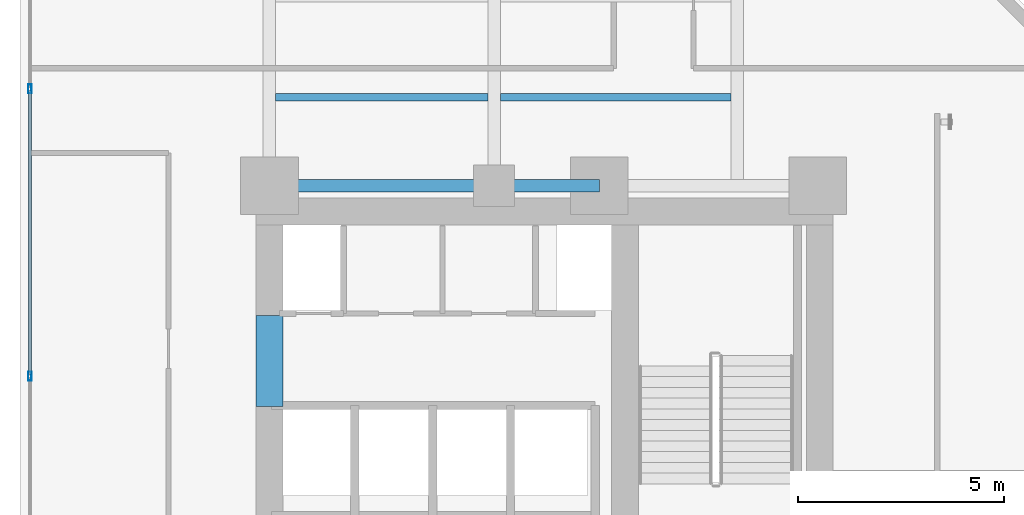
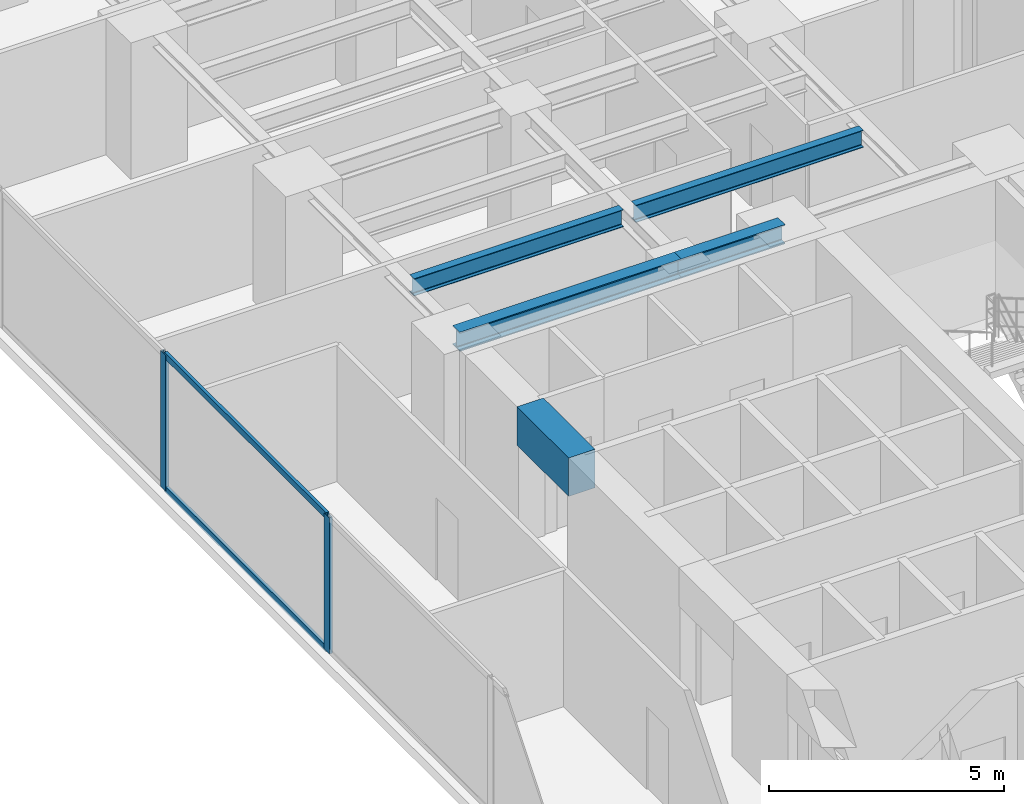
# One storey, part 7 of 26: 5 beams, 4 members, 1 element without a shape of its own.
"""IFC4 building model written with IfcOpenShell, lengths in metres."""

from ifc_helpers import new_model, si_unit, direction, frame, origin, origin_with_axes, origin_2d, place, context, subcontext, project, spatial, rectangle, hollow_rectangle, i_section, extrude, source, transform, mapped, material, layer, layer_set, material_profile, profile_set, type_object, element, aggregate, save


model = new_model("IFC4")

# Units and contexts
model_context = context("Model", 3, precision=1e-05, world=origin(), true_north=direction((0.0, 1.0)))
body_context = subcontext(model_context, "Body", "Model", "MODEL_VIEW")
ifc_project = project(units=[si_unit("LENGTHUNIT", "METRE"), si_unit("AREAUNIT", "SQUARE_METRE"), si_unit("VOLUMEUNIT", "CUBIC_METRE"), si_unit("PLANEANGLEUNIT", "RADIAN"), si_unit("MASSUNIT", "GRAM", prefix="KILO")], contexts=[model_context])

# Site, building, storey
site_placement = place(None, origin())
site = spatial("IfcSite", under=ifc_project, at=site_placement, CompositionType="ELEMENT")
building_placement = place(site_placement, origin())
building = spatial("IfcBuilding", under=site, at=building_placement, Name="Kolvaren Waterfront Exchange", CompositionType="ELEMENT")
storey_placement = place(building_placement, frame((0.0, 0.0, 99.300048828125)))
storey = spatial("IfcBuildingStorey", under=building, at=storey_placement, Name="L25", CompositionType="ELEMENT", Elevation=99.300048828125)

# Beams
ifc_material_1 = material(Name="Steel S355", Category="steel")
ifc_material_profile_1 = material_profile(ifc_material_1, i_section(OverallWidth=0.300048828125, OverallDepth=0.5, WebThickness=0.014404296875, FlangeThickness=0.028076171875, FilletRadius=0.027099609375, at=origin_2d()), Name="HEB500")
ifc_profile_set_1 = profile_set([ifc_material_profile_1], Name="Steel S355")
beam_type_1 = type_object("IfcBeamType", Name="STR-BM-HEB500", PredefinedType="BEAM", material=ifc_profile_set_1)
beam_1_placement = place(storey_placement, frame((7.449951171875, 24.449951171875, 3.2900390625), z_axis=(1.0, 0.0, 0.0), x_axis=(0.0, 1.0, 0.0)))
element("IfcBeam", 1, at=beam_1_placement, inside=storey, type_object=beam_type_1, Name="L25 north-arm girder 1A", PredefinedType="BEAM", context=body_context, shape_type="SweptSolid", body=[
    extrude(i_section(OverallWidth=0.300048828125, OverallDepth=0.5, WebThickness=0.014404296875, FlangeThickness=0.028076171875, FilletRadius=0.027099609375, at=origin_2d()), origin(), (0.0, 0.0, 1.0), 5.449951171875),
])
beam_2_placement = place(storey_placement, frame((12.89990234375, 24.449951171875, 3.2900390625), z_axis=(1.0, 0.0, 0.0), x_axis=(0.0, 1.0, 0.0)))
element("IfcBeam", 2, at=beam_2_placement, inside=storey, type_object=beam_type_1, Name="L25 north-arm girder 1B", PredefinedType="BEAM", context=body_context, shape_type="SweptSolid", body=[
    extrude(i_section(OverallWidth=0.300048828125, OverallDepth=0.5, WebThickness=0.014404296875, FlangeThickness=0.028076171875, FilletRadius=0.027099609375, at=origin_2d()), origin(), (0.0, 0.0, 1.0), 2.550048828125),
])
ifc_material_profile_2 = material_profile(ifc_material_1, i_section(OverallWidth=0.18994140625, OverallDepth=0.449951171875, WebThickness=0.009521484375, FlangeThickness=0.0146484375, FilletRadius=0.02099609375, at=origin_2d()), Name="IPE450")
ifc_profile_set_2 = profile_set([ifc_material_profile_2], Name="Steel S355")
beam_type_2 = type_object("IfcBeamType", Name="STR-BM-IPE450", PredefinedType="JOIST", material=ifc_profile_set_2)
beam_3_placement = place(storey_placement, frame((7.60205078125, 26.60009765625, 3.31494140625), z_axis=(1.0, 0.0, 0.0), x_axis=(0.0, 1.0, 0.0)))
element("IfcBeam", 3, at=beam_3_placement, inside=storey, type_object=beam_type_2, Name="L25 north-arm composite joist 1A", PredefinedType="JOIST", context=body_context, shape_type="SweptSolid", body=[
    extrude(i_section(OverallWidth=0.18994140625, OverallDepth=0.449951171875, WebThickness=0.009521484375, FlangeThickness=0.0146484375, FilletRadius=0.02099609375, at=origin_2d()), origin(), (0.0, 0.0, 1.0), 5.14599609375),
])
beam_4_placement = place(storey_placement, frame((13.052001953125, 26.60009765625, 3.31494140625), z_axis=(1.0, 0.0, 0.0), x_axis=(0.0, 1.0, 0.0)))
element("IfcBeam", 4, at=beam_4_placement, inside=storey, type_object=beam_type_2, Name="L25 north-arm composite joist 1B", PredefinedType="JOIST", context=body_context, shape_type="SweptSolid", body=[
    extrude(i_section(OverallWidth=0.18994140625, OverallDepth=0.449951171875, WebThickness=0.009521484375, FlangeThickness=0.0146484375, FilletRadius=0.02099609375, at=origin_2d()), origin(), (0.0, 0.0, 1.0), 5.595947265625),
])
ifc_material_2 = material(Name="Concrete C60/75", Category="concrete")
ifc_material_profile_3 = material_profile(ifc_material_2, rectangle(XDim=0.64990234375, YDim=1.0, at=origin_2d()), Name="RC-CB-1000x650")
ifc_profile_set_3 = profile_set([ifc_material_profile_3], Name="Concrete C60/75")
beam_type_3 = type_object("IfcBeamType", Name="STR-CB-1000", PredefinedType="SPANDREL", material=ifc_profile_set_3)
beam_5_placement = place(storey_placement, frame((7.449951171875, 19.10009765625, 3.0400390625), z_axis=(0.0, 1.0, 0.0), x_axis=(-1.0, 0.0, 0.0)))
element("IfcBeam", 5, at=beam_5_placement, inside=storey, type_object=beam_type_3, Name="L25 core coupling beam 5", PredefinedType="SPANDREL", context=body_context, shape_type="SweptSolid", body=[
    extrude(rectangle(XDim=0.64990234375, YDim=1.0, at=origin_2d()), origin(), (0.0, 0.0, 1.0), 2.199951171875),
])

# Curtain wall, members
ifc_material_3 = material(Name="Anodised aluminium 6063-T6", Category="aluminium")
ifc_layer = layer(ifc_material_3, 0.219970703125, Name="Anodised aluminium 6063-T6")
ifc_layer_set = layer_set([ifc_layer], Name="Anodised aluminium 6063-T6")
curtain_wall_type = type_object("IfcCurtainWallType", Name="ARC-CW-SYS2", PredefinedType="USERDEFINED", material=ifc_layer_set)
curtain_wall_placement = place(storey_placement, origin())
curtain_wall = element("IfcCurtainWall", 6, at=curtain_wall_placement, inside=storey, type_object=curtain_wall_type, Name="L25 stick curtain wall CW2 (CW-L25-W)", ObjectType="STICK CURTAIN WALL", PredefinedType="USERDEFINED")
ifc_material_profile_4 = material_profile(ifc_material_3, hollow_rectangle(XDim=0.080078125, YDim=0.219970703125, WallThickness=0.0048828125, at=origin_2d()), Name="ALU-MUL-220x80x5")
ifc_profile_set_4 = profile_set([ifc_material_profile_4], Name="Anodised aluminium 6063-T6")
member_type_1 = type_object("IfcMemberType", Name="ARC-CWM-220", PredefinedType="MULLION", material=ifc_profile_set_4)
shared_shape_1 = source(origin_with_axes(), body_context, "Body", "SweptSolid", [
    extrude(hollow_rectangle(XDim=0.080078125, YDim=0.219970703125, WallThickness=0.0048828125, at=origin_2d()), origin(), (0.0, 0.0, 1.0), 3.5400390625),
])
member_1_placement = place(storey_placement, frame((1.639892578125, 19.833251953125, 0.0), z_axis=(0.0, 0.0, 1.0), x_axis=(-1.0, 0.0, 0.0)))
member_1 = element("IfcMember", 7, at=member_1_placement, type_object=member_type_1, Name="CW2 mullion 3", PredefinedType="MULLION", context=body_context, shape_type="MappedRepresentation", body=[
    mapped(shared_shape_1, transform((0.0, 0.0, 0.0), x_axis=(1.0, 0.0, 0.0), y_axis=(0.0, 1.0, 0.0), z_axis=(0.0, 0.0, 1.0), scale=1.0)),
])
member_2_placement = place(storey_placement, frame((1.639892578125, 26.800048828125, 0.0), z_axis=(0.0, 0.0, 1.0), x_axis=(-1.0, 0.0, 0.0)))
member_2 = element("IfcMember", 8, at=member_2_placement, type_object=member_type_1, Name="CW2 mullion 4", PredefinedType="MULLION", context=body_context, shape_type="MappedRepresentation", body=[
    mapped(shared_shape_1, transform((0.0, 0.0, 0.0), x_axis=(1.0, 0.0, 0.0), y_axis=(0.0, 1.0, 0.0), z_axis=(0.0, 0.0, 1.0), scale=1.0)),
])
ifc_material_profile_5 = material_profile(ifc_material_3, hollow_rectangle(XDim=0.074951171875, YDim=0.159912109375, WallThickness=0.00439453125, at=origin_2d()), Name="ALU-TRN-160x75x4.5")
ifc_profile_set_5 = profile_set([ifc_material_profile_5], Name="Anodised aluminium 6063-T6")
member_type_2 = type_object("IfcMemberType", Name="ARC-CWT-160", PredefinedType="USERDEFINED", material=ifc_profile_set_5)
shared_shape_2 = source(origin_with_axes(), body_context, "Body", "SweptSolid", [
    extrude(hollow_rectangle(XDim=0.074951171875, YDim=0.159912109375, WallThickness=0.00439453125, at=origin_2d()), origin(), (0.0, 0.0, 1.0), 6.88671875),
])
member_3_placement = place(storey_placement, frame((1.639892578125, 19.873291015625, 0.037353515625), z_axis=(0.0, 1.0, 0.0), x_axis=(-1.0, 0.0, 0.0)))
member_3 = element("IfcMember", 9, at=member_3_placement, type_object=member_type_2, Name="CW2 transom 3.1", ObjectType="TRANSOM", PredefinedType="USERDEFINED", context=body_context, shape_type="MappedRepresentation", body=[
    mapped(shared_shape_2, transform((0.0, 0.0, 0.0), x_axis=(1.0, 0.0, 0.0), y_axis=(0.0, 1.0, 0.0), z_axis=(0.0, 0.0, 1.0), scale=1.0)),
])
member_4_placement = place(storey_placement, frame((1.639892578125, 19.873291015625, 3.50244140625), z_axis=(0.0, 1.0, 0.0), x_axis=(-1.0, 0.0, 0.0)))
member_4 = element("IfcMember", 10, at=member_4_placement, type_object=member_type_2, Name="CW2 transom 3.2", ObjectType="TRANSOM", PredefinedType="USERDEFINED", context=body_context, shape_type="MappedRepresentation", body=[
    mapped(shared_shape_2, transform((0.0, 0.0, 0.0), x_axis=(1.0, 0.0, 0.0), y_axis=(0.0, 1.0, 0.0), z_axis=(0.0, 0.0, 1.0), scale=1.0)),
])
aggregate(curtain_wall, [member_1, member_2, member_3, member_4])

save(model, "model.ifc")
